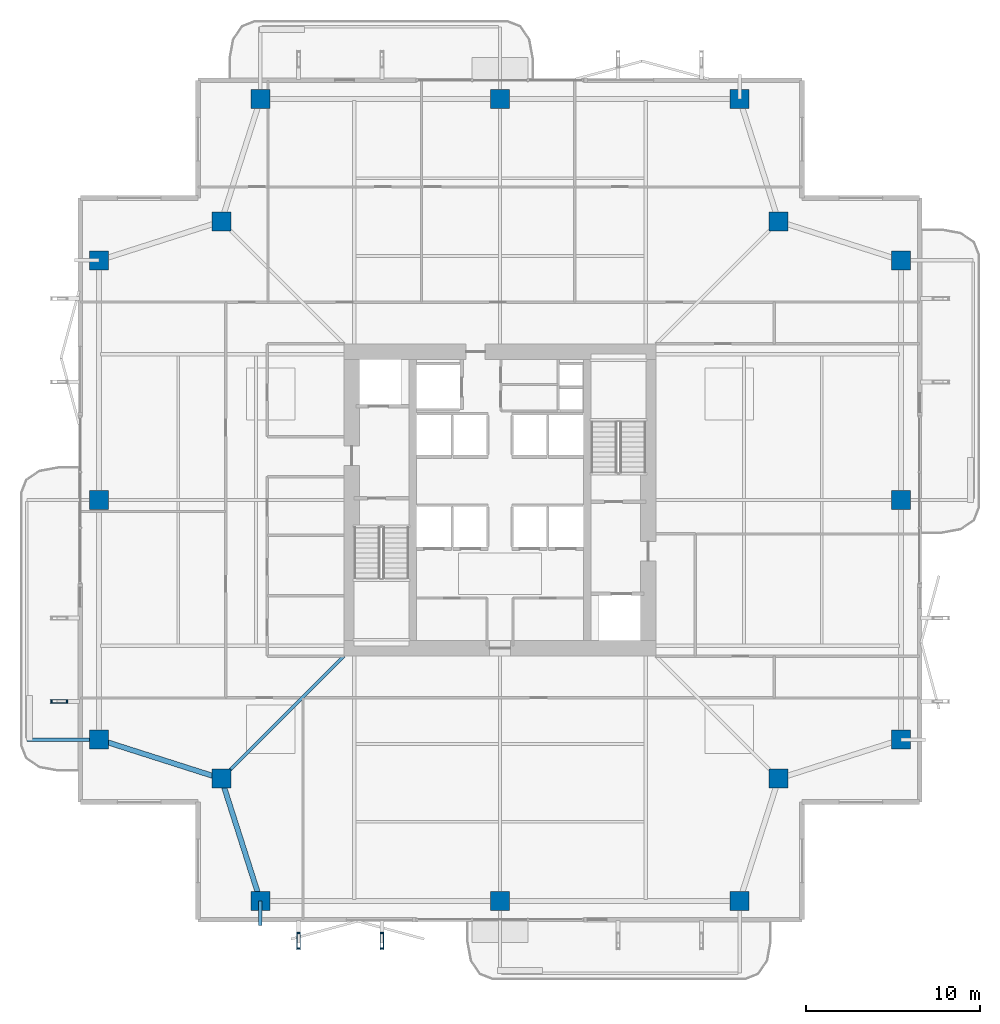
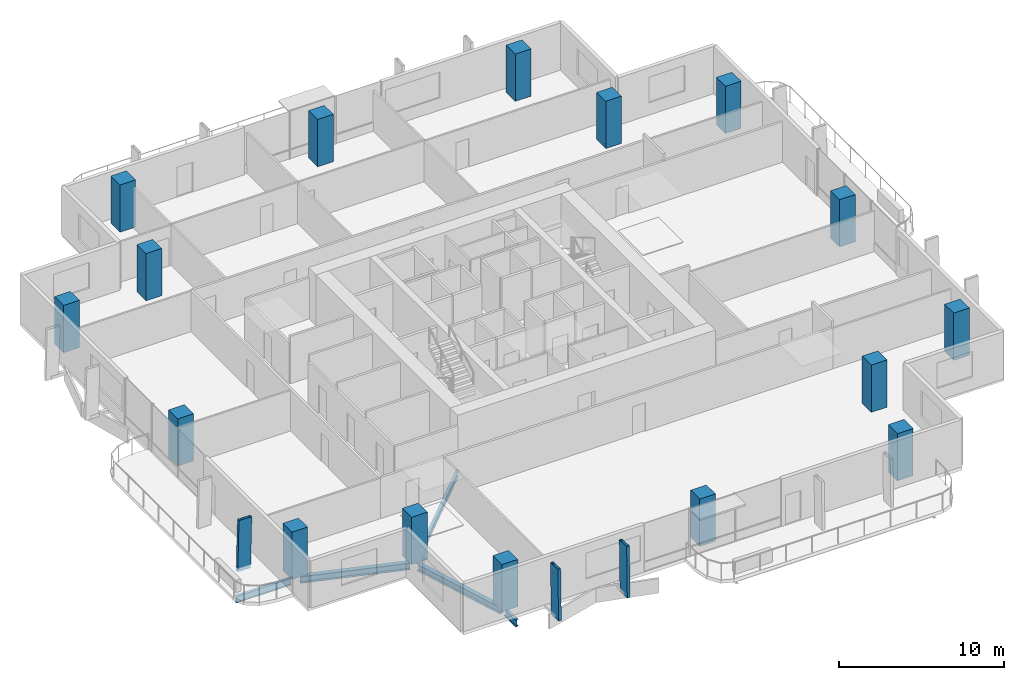
# One storey, part 1 of 25: 16 columns, 5 beams, 3 members.
"""IFC4 building model written with IfcOpenShell, lengths in metres."""

import ifcopenshell
import ifcopenshell.guid

model = None  # the IFC model being written
_history = None  # IfcOwnerHistory: only IFC2X3 demands one
_inside = {}  # id of a spatial element -> (the spatial element, [elements in it])
_under = {}  # id of a project, library or spatial element -> (it, [spatial elements below it])
_declared = {}  # id of a project -> (the project, [libraries it declares])
_typed = {}  # id of a type object -> (the type object, [elements of that type])
_made_of = {}  # id of a material, layer set ... -> (it, [elements and type objects made of it])


def new_model(schema):
    """Start an empty IFC model of exactly this schema.

    Asked for "IFC4X3", IfcOpenShell would pick the latest addendum, in which some entities
    have other attributes; the version numbers below select the first issue.
    IFC2X3 requires an IfcOwnerHistory on every rooted entity: one is made here for all.
    """
    global model, _history
    if schema == "IFC4X3":
        model = ifcopenshell.file(schema_version=(4, 3, 0, 0))
    else:
        model = ifcopenshell.file(schema=schema)
    _inside.clear()
    _under.clear()
    _declared.clear()
    _typed.clear()
    _made_of.clear()
    _history = None
    if model.schema == "IFC2X3":
        org = make("IfcOrganization", Name="unknown")
        user = make(
            "IfcPersonAndOrganization",
            ThePerson=make("IfcPerson", FamilyName="unknown"),
            TheOrganization=org,
        )
        app = make(
            "IfcApplication",
            ApplicationDeveloper=org,
            Version="unknown",
            ApplicationFullName="unknown",
            ApplicationIdentifier="unknown",
        )
        _history = make(
            "IfcOwnerHistory",
            OwningUser=user,
            OwningApplication=app,
            ChangeAction="ADDED",
            CreationDate=0,
        )
    return model


def make(cls, **values):
    """One entity of the class cls with the attributes given. An attribute that is None is left unset."""
    return model.create_entity(
        cls, **{name: value for name, value in values.items() if value is not None}
    )


def rooted(cls, **values):
    """An entity with a GlobalId (a new one), such as an element, a storey or a relation."""
    return make(cls, GlobalId=ifcopenshell.guid.new(), OwnerHistory=_history, **values)


def si_unit(unit_type, name, prefix=None):
    """IfcSIUnit, for example si_unit("LENGTHUNIT", "METRE", prefix="MILLI")."""
    return make("IfcSIUnit", UnitType=unit_type, Prefix=prefix, Name=name)


def assignment(units):
    """IfcUnitAssignment: the units of a project."""
    return None if units is None else make("IfcUnitAssignment", Units=units)


def point(xyz):
    """IfcCartesianPoint."""
    return None if xyz is None else make("IfcCartesianPoint", Coordinates=xyz)


def direction(xyz):
    """IfcDirection."""
    return None if xyz is None else make("IfcDirection", DirectionRatios=xyz)


def frame(location, z_axis=None, x_axis=None):
    """IfcAxis2Placement3D, a coordinate frame: its origin and axes. An axis left out is left unset."""
    return make(
        "IfcAxis2Placement3D",
        Location=point(location),
        Axis=direction(z_axis),
        RefDirection=direction(x_axis),
    )


def frame_2d(location, x_axis=None):
    """IfcAxis2Placement2D, a coordinate frame in the plane: its origin and x axis."""
    return make(
        "IfcAxis2Placement2D", Location=point(location), RefDirection=direction(x_axis)
    )


def origin():
    """The frame at (0, 0, 0) with its axes left unset."""
    return frame((0.0, 0.0, 0.0))


def origin_2d():
    """The frame at (0, 0) in the plane with its x axis left unset."""
    return frame_2d((0.0, 0.0))


def place(relative_to, where):
    """IfcLocalPlacement: puts the frame where relative to a parent placement (None: the world)."""
    return make(
        "IfcLocalPlacement", PlacementRelTo=relative_to, RelativePlacement=where
    )


def context(
    kind, dimensions, precision=None, world=None, true_north=None, identifier=None
):
    """IfcGeometricRepresentationContext, for example the 3D "Model" context."""
    return make(
        "IfcGeometricRepresentationContext",
        ContextIdentifier=identifier,
        ContextType=kind,
        CoordinateSpaceDimension=dimensions,
        Precision=precision,
        WorldCoordinateSystem=world,
        TrueNorth=true_north,
    )


def subcontext(parent, identifier, kind, view, scale=None):
    """IfcGeometricRepresentationSubContext, for example "Body" below "Model"."""
    return make(
        "IfcGeometricRepresentationSubContext",
        ContextIdentifier=identifier,
        ContextType=kind,
        ParentContext=parent,
        TargetScale=scale,
        TargetView=view,
    )


def project(units=None, contexts=None):
    """IfcProject with its units and contexts."""
    return rooted(
        "IfcProject",
        Name="project",
        RepresentationContexts=contexts,
        UnitsInContext=assignment(units),
    )


def spatial(cls, under=None, at=None, **own):
    """A site, building, storey or space (cls), placed at a placement, below another one or the project."""
    s = rooted(cls, ObjectPlacement=at, **own)
    if under is not None:
        _under.setdefault(under.id(), (under, []))[1].append(s)
    return s


def profile(cls, at=None, kind="AREA", **sizes):
    """A parametric profile (cls). Its sizes go by their IFC names, for example OverallWidth=200.0."""
    return make(cls, ProfileType=kind, Position=at, **sizes)


def rectangle(**sizes):
    """IfcRectangleProfileDef."""
    return profile("IfcRectangleProfileDef", **sizes)


def hollow_rectangle(**sizes):
    """IfcRectangleHollowProfileDef."""
    return profile("IfcRectangleHollowProfileDef", **sizes)


def i_section(**sizes):
    """IfcIShapeProfileDef."""
    return profile("IfcIShapeProfileDef", **sizes)


def extrude(swept, where, along, depth):
    """IfcExtrudedAreaSolid: the profile swept, set in the frame where, extruded along a direction by depth."""
    return make(
        "IfcExtrudedAreaSolid",
        SweptArea=swept,
        Position=where,
        ExtrudedDirection=direction(along),
        Depth=depth,
    )


def shape(context_of_items, identifier, shape_type, items):
    """IfcShapeRepresentation: the items that make up one representation, for example the "Body"."""
    return make(
        "IfcShapeRepresentation",
        ContextOfItems=context_of_items,
        RepresentationIdentifier=identifier,
        RepresentationType=shape_type,
        Items=items,
    )


def material(Name=None, Category=None):
    """IfcMaterial."""
    return make("IfcMaterial", Name=Name, Category=Category)


def material_profile(
    of_material, cross_section, Name=None, Category=None, Priority=None
):
    """IfcMaterialProfile: a cross section and its material."""
    return make(
        "IfcMaterialProfile",
        Name=Name,
        Material=of_material,
        Profile=cross_section,
        Priority=Priority,
        Category=Category,
    )


def profile_set(profiles, Name=None, composite=None):
    """IfcMaterialProfileSet."""
    return make(
        "IfcMaterialProfileSet",
        Name=Name,
        MaterialProfiles=profiles,
        CompositeProfile=composite,
    )


def made_of(thing, what):
    """Note that an element or type object is made of a material, layer set ...; save() writes the relation."""
    if what is not None:
        _made_of.setdefault(what.id(), (what, []))[1].append(thing)
    return thing


def type_object(cls, material=None, **own):
    """A type object (cls), such as IfcWallType, which elements share."""
    return made_of(rooted(cls, **own), material)


def element(
    cls,
    number,
    at=None,
    inside=None,
    cuts=None,
    type_object=None,
    material=None,
    context=None,
    identifier="Body",
    shape_type=None,
    held_by="IfcProductDefinitionShape",
    body=None,
    shapes=None,
    **own,
):
    """One element of the class cls, such as IfcWall. Its Tag is "e" and its number.

    at: its placement. inside: the storey or other place that contains it. cuts: it is an
    opening in that element (IfcRelVoidsElement). A single representation is given by context,
    identifier, shape_type and body (its items); several are given by shapes. held_by: the class
    of the entity that holds the representations. save() writes the other relations.
    """
    e = rooted(cls, Tag="e%d" % number, ObjectPlacement=at, **own)
    if body is not None:
        shapes = [shape(context, identifier, shape_type, body)]
    if shapes is not None:
        e.Representation = make(held_by, Representations=shapes)
    if inside is not None:
        _inside.setdefault(inside.id(), (inside, []))[1].append(e)
    if cuts is not None:
        rooted(
            "IfcRelVoidsElement", RelatingBuildingElement=cuts, RelatedOpeningElement=e
        )
    if type_object is not None:
        _typed.setdefault(type_object.id(), (type_object, []))[1].append(e)
    return made_of(e, material)


def aggregate(whole, parts):
    """IfcRelAggregates: a whole, such as a stair, and the parts it consists of."""
    return rooted("IfcRelAggregates", RelatingObject=whole, RelatedObjects=parts)


def save(model, path):
    """Write the relations noted so far, then the file.

    IfcRelAggregates (storeys below a building ...), IfcRelContainedInSpatialStructure (elements
    in a storey), IfcRelDefinesByType, IfcRelAssociatesMaterial and IfcRelDeclares: one each for
    every whole, place, type object, material and project.
    """
    for whole, parts in _under.values():
        aggregate(whole, parts)
    for where, things in _inside.values():
        rooted(
            "IfcRelContainedInSpatialStructure",
            RelatedElements=things,
            RelatingStructure=where,
        )
    for kind, things in _typed.values():
        rooted("IfcRelDefinesByType", RelatedObjects=things, RelatingType=kind)
    for what, things in _made_of.values():
        rooted("IfcRelAssociatesMaterial", RelatedObjects=things, RelatingMaterial=what)
    for by, libraries in _declared.values():
        rooted("IfcRelDeclares", RelatingContext=by, RelatedDefinitions=libraries)
    model.write(path)


model = new_model("IFC4")

# Units and contexts
model_context = context("Model", 3, precision=1e-05, world=origin(), true_north=direction((0.0, 1.0)))
body_context = subcontext(model_context, "Body", "Model", "MODEL_VIEW")
ifc_project = project(units=[si_unit("LENGTHUNIT", "METRE"), si_unit("AREAUNIT", "SQUARE_METRE"), si_unit("VOLUMEUNIT", "CUBIC_METRE"), si_unit("PLANEANGLEUNIT", "RADIAN"), si_unit("MASSUNIT", "GRAM", prefix="KILO")], contexts=[model_context])

# Site, building, storey
site_placement = place(None, origin())
site = spatial("IfcSite", under=ifc_project, at=site_placement, CompositionType="ELEMENT")
building_placement = place(site_placement, origin())
building = spatial("IfcBuilding", under=site, at=building_placement, Name="Belovzor Exchange Tower", CompositionType="ELEMENT")
storey_placement = place(building_placement, frame((0.0, 0.0, 164.550048828125)))
storey = spatial("IfcBuildingStorey", under=building, at=storey_placement, Name="L40", CompositionType="ELEMENT", Elevation=164.550048828125)

# Columns
ifc_material_1 = material(Name="Concrete C50/60", Category="concrete")
ifc_material_profile_1 = material_profile(ifc_material_1, rectangle(XDim=1.10009765625, YDim=1.10009765625, at=origin_2d()))
ifc_profile_set_1 = profile_set([ifc_material_profile_1], Name="Concrete C50/60")
column_type = type_object("IfcColumnType", Name="Reinforced Concrete Tower Column 1100x1100", PredefinedType="COLUMN", material=ifc_profile_set_1)
for number, where, z_axis, x_axis, name in (
    (1, (15.0, 5.699951171875, 0.0029296875), (0.0, 0.0, 1.0), (1.0, 0.0, 0.0), "COL-T110 Reinforced Concrete Tower Column 1100x1100"),
    (2, (28.800048828125, 5.699951171875, 0.0029296875), (0.0, 0.0, 1.0), (1.0, 0.0, 0.0), "COL-T110 Reinforced Concrete Tower Column 1100x1100"),
    (3, (42.60009765625, 5.699951171875, 0.0029296875), (0.0, 0.0, 1.0), (1.0, 0.0, 0.0), "COL-T110 Reinforced Concrete Tower Column 1100x1100"),
    (4, (51.89990234375, 15.0, 0.0029296875), (0.0, 0.0, 1.0), (1.0, 0.0, 0.0), "COL-T110 Reinforced Concrete Tower Column 1100x1100"),
    (5, (51.89990234375, 28.800048828125, 0.0029296875), (0.0, 0.0, 1.0), (1.0, 0.0, 0.0), "COL-T110 Reinforced Concrete Tower Column 1100x1100"),
    (6, (51.89990234375, 42.60009765625, 0.0029296875), (0.0, 0.0, 1.0), (1.0, 0.0, 0.0), "COL-T110 Reinforced Concrete Tower Column 1100x1100"),
    (7, (42.60009765625, 51.89990234375, 0.0029296875), (0.0, 0.0, 1.0), (1.0, 0.0, 0.0), "COL-T110 Reinforced Concrete Tower Column 1100x1100"),
    (8, (28.800048828125, 51.89990234375, 0.0029296875), (0.0, 0.0, 1.0), (1.0, 0.0, 0.0), "COL-T110 Reinforced Concrete Tower Column 1100x1100"),
    (9, (15.0, 51.89990234375, 0.0029296875), (0.0, 0.0, 1.0), (1.0, 0.0, 0.0), "COL-T110 Reinforced Concrete Tower Column 1100x1100"),
    (10, (5.699951171875, 42.60009765625, 0.0029296875), (0.0, 0.0, 1.0), (1.0, 0.0, 0.0), "COL-T110 Reinforced Concrete Tower Column 1100x1100"),
    (11, (5.699951171875, 28.800048828125, 0.0029296875), (0.0, 0.0, 1.0), (1.0, 0.0, 0.0), "COL-T110 Reinforced Concrete Tower Column 1100x1100"),
    (12, (5.699951171875, 15.0, 0.0029296875), (0.0, 0.0, 1.0), (1.0, 0.0, 0.0), "COL-T110 Reinforced Concrete Tower Column 1100x1100"),
    (13, (12.75, 12.75, 0.0029296875), (0.0, 0.0, 1.0), (1.0, 0.0, 0.0), "COL-T110 Reinforced Concrete Tower Column 1100x1100"),
    (14, (44.85009765625, 12.75, 0.0029296875), (0.0, 0.0, 1.0), (1.0, 0.0, 0.0), "COL-T110 Reinforced Concrete Tower Column 1100x1100"),
    (15, (44.85009765625, 44.85009765625, 0.0029296875), (0.0, 0.0, 1.0), (1.0, 0.0, 0.0), "COL-T110 Reinforced Concrete Tower Column 1100x1100"),
    (16, (12.75, 44.85009765625, 0.0029296875), (0.0, 0.0, 1.0), (1.0, 0.0, 0.0), "COL-T110 Reinforced Concrete Tower Column 1100x1100"),
):
    element("IfcColumn", number, at=place(storey_placement, frame(where, z_axis=z_axis, x_axis=x_axis)), inside=storey, type_object=column_type, Name=name, PredefinedType="COLUMN", context=body_context, shape_type="SweptSolid", body=[
        extrude(rectangle(XDim=1.10009765625, YDim=1.10009765625, at=origin_2d()), origin(), (0.0, 0.0, 1.0), 3.489013671875),
    ])

# Beams
ifc_material_2 = material(Name="Steel S355", Category="steel")
ifc_material_profile_2 = material_profile(ifc_material_2, i_section(OverallWidth=0.199951171875, OverallDepth=0.5, WebThickness=0.01025390625, FlangeThickness=0.01611328125, at=origin_2d()))
ifc_profile_set_2 = profile_set([ifc_material_profile_2], Name="Steel S355")
beam_type_1 = type_object("IfcBeamType", Name="Planted Balcony Cantilever Beam IPE 500", PredefinedType="BEAM", material=ifc_profile_set_2)
beam_1_placement = place(storey_placement, frame((5.39697265625, 15.0, -0.505126953125), z_axis=(-1.0, 0.0, 0.0), x_axis=(0.0, -1.0, 0.0)))
element("IfcBeam", 17, at=beam_1_placement, inside=storey, type_object=beam_type_1, Name="BC-500 Planted Balcony Cantilever Beam IPE 500", PredefinedType="BEAM", context=body_context, shape_type="SweptSolid", body=[
    extrude(i_section(OverallWidth=0.199951171875, OverallDepth=0.5, WebThickness=0.01025390625, FlangeThickness=0.01611328125, at=origin_2d()), origin(), (0.0, 0.0, 1.0), 3.849853515625),
])
beam_2_placement = place(storey_placement, frame((15.0, 5.699951171875, -0.505126953125), z_axis=(0.0, -1.0, 0.0), x_axis=(1.0, 0.0, 0.0)))
element("IfcBeam", 18, at=beam_2_placement, inside=storey, type_object=beam_type_1, Name="BC-500 Planted Balcony Cantilever Beam IPE 500", PredefinedType="BEAM", context=body_context, shape_type="SweptSolid", body=[
    extrude(i_section(OverallWidth=0.199951171875, OverallDepth=0.5, WebThickness=0.01025390625, FlangeThickness=0.01611328125, at=origin_2d()), origin(), (0.0, 0.0, 1.0), 1.39990234375),
])

# Members
ifc_material_3 = material(Name="Extruded Architectural Terracotta on Steel S355 Carrier", Category="masonry")
ifc_material_profile_3 = material_profile(ifc_material_3, hollow_rectangle(XDim=0.199951171875, YDim=0.89990234375, WallThickness=0.011962890625, at=origin_2d()))
ifc_profile_set_3 = profile_set([ifc_material_profile_3], Name="Extruded Architectural Terracotta on Steel S355 Carrier")
member_type = type_object("IfcMemberType", Name="Sweeping Terracotta Baguette Fin Assembly 1250", PredefinedType="USERDEFINED", material=ifc_profile_set_3)
for number, where, z_axis, x_axis, name in (
    (19, (17.199951171875, 3.35302734375, -0.255126953125), (0.0, 0.02317086074, 0.999731519565), (-1.0, 0.0, 0.0), "FIN-TC125 Terracotta Facade Fin L40 S1"),
    (20, (3.35302734375, 17.199951171875, -0.255126953125), (0.02317086074, 0.0, 0.999731519565), (0.0, 1.0, 0.0), "FIN-TC125 Terracotta Facade Fin L40 W1"),
    (21, (22.0, 3.35302734375, -0.255126953125), (0.0, 0.02317086074, 0.999731519565), (-1.0, 0.0, 0.0), "FIN-TC125 Terracotta Facade Fin L40 S2"),
):
    element("IfcMember", number, at=place(storey_placement, frame(where, z_axis=z_axis, x_axis=x_axis)), inside=storey, type_object=member_type, Name=name, ObjectType="FIN", PredefinedType="USERDEFINED", context=body_context, shape_type="SweptSolid", body=[
        extrude(hollow_rectangle(XDim=0.199951171875, YDim=0.89990234375, WallThickness=0.011962890625, at=origin_2d()), origin(), (0.0, 0.0, 1.0), 3.7509765625),
    ])

# Beams
ifc_material_4 = material(Name="Steel S355", Category="steel")
ifc_material_profile_4 = material_profile(ifc_material_4, i_section(OverallWidth=0.18994140625, OverallDepth=0.449951171875, WebThickness=0.009521484375, FlangeThickness=0.0146484375, at=origin_2d()))
ifc_profile_set_4 = profile_set([ifc_material_profile_4], Name="Steel S355")
beam_type_2 = type_object("IfcBeamType", Name="Zone 2-4 Radial Composite Floor Beam IPE 450", PredefinedType="BEAM", material=ifc_profile_set_4)
beam_3_placement = place(storey_placement, frame((19.800048828125, 19.800048828125, -0.47998046875), z_axis=(-0.707106781187, -0.707106781187, 0.0), x_axis=(0.707106781187, -0.707106781187, 0.0)))
element("IfcBeam", 22, at=beam_3_placement, inside=storey, type_object=beam_type_2, Name="FB-450 Zone 2-4 Radial Composite Floor Beam IPE 450", PredefinedType="BEAM", context=body_context, shape_type="SweptSolid", body=[
    extrude(i_section(OverallWidth=0.18994140625, OverallDepth=0.449951171875, WebThickness=0.009521484375, FlangeThickness=0.0146484375, at=origin_2d()), origin(), (0.0, 0.0, 1.0), 9.58154296875),
])
ifc_material_5 = material(Name="Steel S355", Category="steel")
ifc_material_profile_5 = material_profile(ifc_material_5, i_section(OverallWidth=0.300048828125, OverallDepth=0.5, WebThickness=0.014404296875, FlangeThickness=0.028076171875, at=origin_2d()))
ifc_profile_set_5 = profile_set([ifc_material_profile_5], Name="Steel S355")
beam_type_3 = type_object("IfcBeamType", Name="Zone 3 Waist Primary Girder HEB 500", PredefinedType="BEAM", material=ifc_profile_set_5)
for number, where, z_axis, x_axis, name in (
    (23, (12.842041015625, 12.4619140625, -0.505126953125), (0.304011730457, -0.952668288411, 0.0), (0.952668288411, 0.304011730457, 0.0), "FG-Z3 Zone 3 Waist Primary Girder HEB 500"),
    (24, (5.988037109375, 14.907958984375, -0.505126953125), (0.952668288411, -0.304011730457, 0.0), (0.304011730457, 0.952668288411, 0.0), "FG-Z3 Zone 3 Waist Primary Girder HEB 500"),
):
    element("IfcBeam", number, at=place(storey_placement, frame(where, z_axis=z_axis, x_axis=x_axis)), inside=storey, type_object=beam_type_3, Name=name, PredefinedType="BEAM", context=body_context, shape_type="SweptSolid", body=[
        extrude(i_section(OverallWidth=0.300048828125, OverallDepth=0.5, WebThickness=0.014404296875, FlangeThickness=0.028076171875, at=origin_2d()), origin(), (0.0, 0.0, 1.0), 6.79541015625),
    ])

save(model, "model.ifc")
